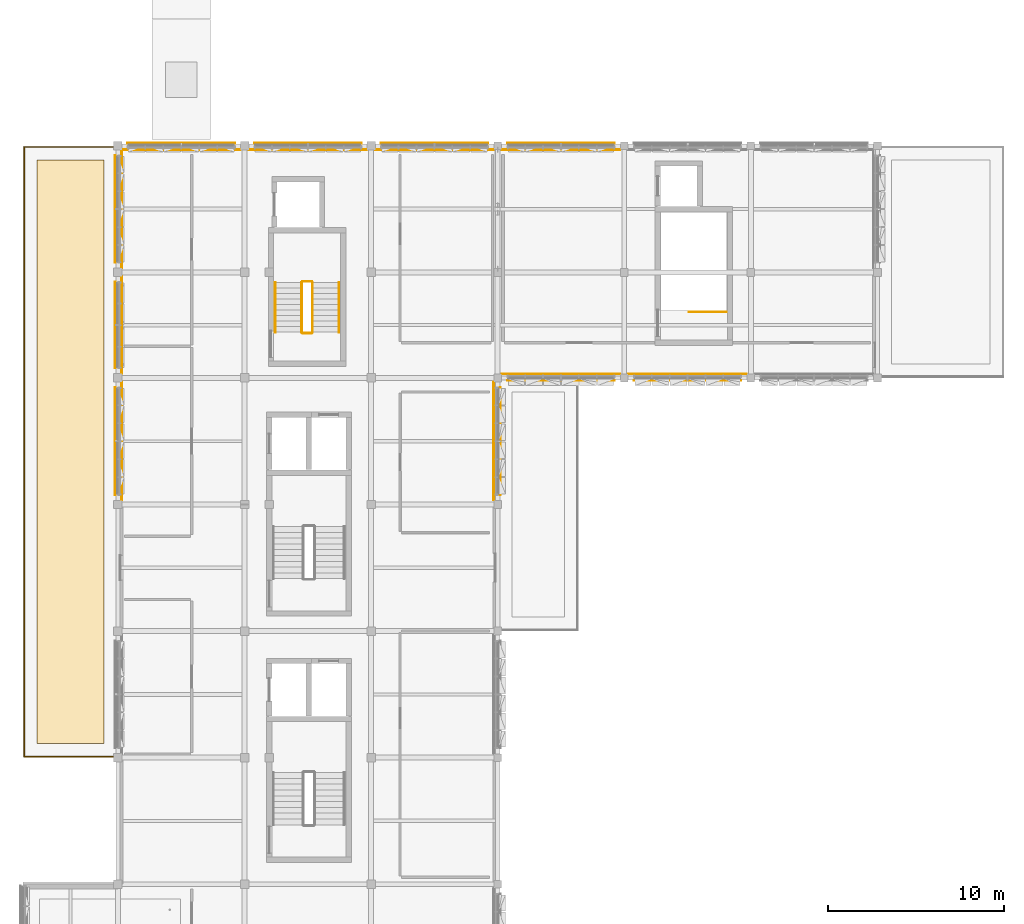
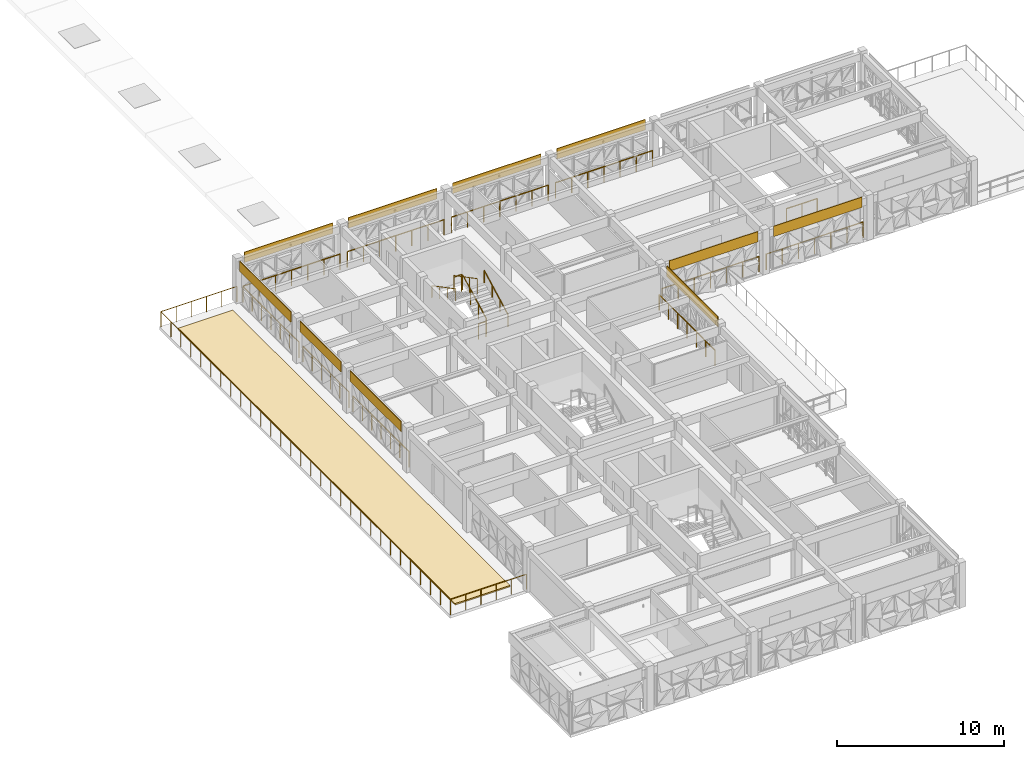
# One storey, part 29 of 35: 18 railings, 11 coverings.
"""IFC4 building model written with IfcOpenShell, lengths in metres."""

from ifc_helpers import new_model, si_unit, direction, frame, origin, origin_2d, place, context, subcontext, project, spatial, polyline, circle, outline, extrude, material, layer, layer_set, type_object, element, save


model = new_model("IFC4")

# Units and contexts
model_context = context("Model", 3, precision=1e-05, world=origin(), true_north=direction((0.0, 1.0)))
body_context = subcontext(model_context, "Body", "Model", "MODEL_VIEW")
ifc_project = project(units=[si_unit("LENGTHUNIT", "METRE"), si_unit("AREAUNIT", "SQUARE_METRE"), si_unit("VOLUMEUNIT", "CUBIC_METRE"), si_unit("PLANEANGLEUNIT", "RADIAN"), si_unit("MASSUNIT", "GRAM", prefix="KILO")], contexts=[model_context])

# Site, building, storey
site_placement = place(None, origin())
site = spatial("IfcSite", under=ifc_project, at=site_placement, CompositionType="ELEMENT")
building_placement = place(site_placement, origin())
building = spatial("IfcBuilding", under=site, at=building_placement, Name="Alvorim Cloister Faculty of Sciences", CompositionType="ELEMENT")
storey_placement = place(building_placement, frame((0.0, 0.0, 22.949951171875)))
storey = spatial("IfcBuildingStorey", under=building, at=storey_placement, Name="L06", CompositionType="ELEMENT", Elevation=22.949951171875)

# Coverings
ifc_material_1 = material(Name="Anodised Aluminium Alloy 6063-T6", Category="aluminium")
ifc_layer_1 = layer(ifc_material_1, 0.031982421875)
ifc_layer_set_1 = layer_set([ifc_layer_1], Name="Anodised Aluminium Alloy 6063-T6")
covering_type_1 = type_object("IfcCoveringType", Name="COV-FAC-CAS", PredefinedType="CLADDING", material=ifc_layer_set_1)
covering_1_placement = place(storey_placement, frame((7.050048828125, 36.5400390625, 2.530029296875), z_axis=(0.0, 0.0, 1.0), x_axis=(0.0, 1.0, 0.0)))
element("IfcCovering", 1, at=covering_1_placement, inside=storey, type_object=covering_type_1, Name="L06 Shifted Bar Slab-Edge Architectural Fascia", PredefinedType="CLADDING", context=body_context, shape_type="SweptSolid", body=[
    extrude(outline(polyline([(0.0, 0.0), (6.1201171875, 0.0), (6.1201171875, 0.760009765625), (0.0, 0.760009765625), (0.0, 0.0)])), frame((0.0, 0.0224609375, 0.0), z_axis=(0.0, -1.0, 0.0), x_axis=(1.0, 0.0, 0.0)), (0.0, 0.0, 1.0), 0.044921875),
])
covering_2_placement = place(storey_placement, frame((7.050048828125, 43.739990234375, 2.530029296875), z_axis=(0.0, 0.0, 1.0), x_axis=(0.0, 1.0, 0.0)))
element("IfcCovering", 2, at=covering_2_placement, inside=storey, type_object=covering_type_1, Name="L06 Shifted Bar Slab-Edge Architectural Fascia", PredefinedType="CLADDING", context=body_context, shape_type="SweptSolid", body=[
    extrude(outline(polyline([(0.0, 0.0), (4.919921875, 0.0), (4.919921875, 0.760009765625), (0.0, 0.760009765625), (0.0, 0.0)])), frame((0.0, 0.0224609375, 0.0), z_axis=(0.0, -1.0, 0.0), x_axis=(1.0, 0.0, 0.0)), (0.0, 0.0, 1.0), 0.044921875),
])
for number, where, z_axis, x_axis, name in (
    (3, (7.050048828125, 49.739990234375, 2.530029296875), (0.0, 0.0, 1.0), (0.0, 1.0, 0.0), "L06 Shifted Bar Slab-Edge Architectural Fascia"),
    (4, (7.739990234375, 56.550048828125, 2.530029296875), (0.0, 0.0, 1.0), (1.0, 0.0, 0.0), "L06 Shifted Bar Slab-Edge Architectural Fascia"),
    (5, (14.93994140625, 56.550048828125, 2.530029296875), (0.0, 0.0, 1.0), (1.0, 0.0, 0.0), "L06 Shifted Bar Slab-Edge Architectural Fascia"),
    (6, (22.139892578125, 56.550048828125, 2.530029296875), (0.0, 0.0, 1.0), (1.0, 0.0, 0.0), "L06 Shifted Bar Slab-Edge Architectural Fascia"),
    (7, (29.340087890625, 56.550048828125, 2.530029296875), (0.0, 0.0, 1.0), (1.0, 0.0, 0.0), "L06 Shifted Bar Slab-Edge Architectural Fascia"),
    (8, (36.5400390625, 43.050048828125, 2.530029296875), (0.0, 0.0, 1.0), (1.0, 0.0, 0.0), "L06 Shifted Bar Slab-Edge Architectural Fascia"),
    (9, (29.340087890625, 43.050048828125, 2.530029296875), (0.0, 0.0, 1.0), (1.0, 0.0, 0.0), "L06 Shifted Bar Slab-Edge Architectural Fascia"),
    (10, (28.949951171875, 36.5400390625, 2.530029296875), (0.0, 0.0, 1.0), (0.0, 1.0, 0.0), "L06 Shifted Bar Slab-Edge Architectural Fascia"),
):
    element("IfcCovering", number, at=place(storey_placement, frame(where, z_axis=z_axis, x_axis=x_axis)), inside=storey, type_object=covering_type_1, Name=name, PredefinedType="CLADDING", context=body_context, shape_type="SweptSolid", body=[
        extrude(outline(polyline([(0.0, 0.0), (6.1201171875, 0.0), (6.1201171875, 0.760009765625), (0.0, 0.760009765625), (0.0, 0.0)])), frame((0.0, 0.0224609375, 0.0), z_axis=(0.0, -1.0, 0.0), x_axis=(1.0, 0.0, 0.0)), (0.0, 0.0, 1.0), 0.044921875),
    ])
ifc_material_2 = material(Name="Intensive Vegetated Substrate", Category="earth")
ifc_layer_2 = layer(ifc_material_2, 0.10009765625)
ifc_layer_set_2 = layer_set([ifc_layer_2], Name="Intensive Vegetated Substrate")
covering_type_2 = type_object("IfcCoveringType", Name="COV-ROOF-GREEN", PredefinedType="ROOFING", material=ifc_layer_set_2)
covering_3_placement = place(storey_placement, origin())
element("IfcCovering", 11, at=covering_3_placement, inside=storey, type_object=covering_type_2, Name="L06 West Shifted Bar Sky Garden Quota Ambiental Vegetated Substrate", PredefinedType="ROOFING", context=body_context, shape_type="SweptSolid", body=[
    extrude(outline(polyline([(2.60009765625, 22.39990234375), (6.39990234375, 22.39990234375), (6.39990234375, 55.60009765625), (2.60009765625, 55.60009765625), (2.60009765625, 22.39990234375)])), origin(), (0.0, 0.0, 1.0), 0.10009765625),
])

# Railings
ifc_material_3 = material(Name="Laminated Safety Glass and Bronze", Category="glass")
railing_type_1 = type_object("IfcRailingType", Name="RL-ATR-BAL-1150", PredefinedType="BALUSTRADE", material=ifc_material_3)
railing_1_placement = place(storey_placement, frame((7.419921875, 36.25, 0.0)))
element("IfcRailing", 12, at=railing_1_placement, inside=storey, type_object=railing_type_1, Name="L06 Curtain Wall Sill Guard BL-236", PredefinedType="BALUSTRADE", context=body_context, shape_type="SweptSolid", body=[
    extrude(circle(Radius=0.02392578125, at=origin_2d()), frame((0.0, 0.0, 1.1259765625), z_axis=(0.0, 1.0, 0.0), x_axis=(-1.0, 0.0, 0.0)), (0.0, 0.0, 1.0), 6.699951171875),
    extrude(circle(Radius=0.02099609375, at=origin_2d()), origin(), (0.0, 0.0, 1.0), 1.101806640625),
    extrude(circle(Radius=0.02099609375, at=origin_2d()), frame((0.0, 1.11669921875, 0.0)), (0.0, 0.0, 1.0), 1.101806640625),
    extrude(circle(Radius=0.02099609375, at=origin_2d()), frame((0.0, 2.2333984375, 0.0)), (0.0, 0.0, 1.0), 1.101806640625),
    extrude(circle(Radius=0.02099609375, at=origin_2d()), frame((0.0, 3.35009765625, 0.0)), (0.0, 0.0, 1.0), 1.101806640625),
    extrude(circle(Radius=0.02099609375, at=origin_2d()), frame((0.0, 4.466552734375, 0.0)), (0.0, 0.0, 1.0), 1.101806640625),
    extrude(circle(Radius=0.02099609375, at=origin_2d()), frame((0.0, 5.583251953125, 0.0)), (0.0, 0.0, 1.0), 1.101806640625),
    extrude(circle(Radius=0.02099609375, at=origin_2d()), frame((0.0, 6.699951171875, 0.0)), (0.0, 0.0, 1.0), 1.101806640625),
])
railing_2_placement = place(storey_placement, frame((7.419921875, 43.449951171875, 0.0)))
element("IfcRailing", 13, at=railing_2_placement, inside=storey, type_object=railing_type_1, Name="L06 Curtain Wall Sill Guard BL-237", PredefinedType="BALUSTRADE", context=body_context, shape_type="SweptSolid", body=[
    extrude(circle(Radius=0.02392578125, at=origin_2d()), frame((0.0, 0.0, 1.1259765625), z_axis=(0.0, 1.0, 0.0), x_axis=(-1.0, 0.0, 0.0)), (0.0, 0.0, 1.0), 5.5),
    extrude(circle(Radius=0.02099609375, at=origin_2d()), origin(), (0.0, 0.0, 1.0), 1.101806640625),
    extrude(circle(Radius=0.02099609375, at=origin_2d()), frame((0.0, 1.10009765625, 0.0)), (0.0, 0.0, 1.0), 1.101806640625),
    extrude(circle(Radius=0.02099609375, at=origin_2d()), frame((0.0, 2.199951171875, 0.0)), (0.0, 0.0, 1.0), 1.101806640625),
    extrude(circle(Radius=0.02099609375, at=origin_2d()), frame((0.0, 3.300048828125, 0.0)), (0.0, 0.0, 1.0), 1.101806640625),
    extrude(circle(Radius=0.02099609375, at=origin_2d()), frame((0.0, 4.39990234375, 0.0)), (0.0, 0.0, 1.0), 1.101806640625),
    extrude(circle(Radius=0.02099609375, at=origin_2d()), frame((0.0, 5.5, 0.0)), (0.0, 0.0, 1.0), 1.101806640625),
])
railing_3_placement = place(storey_placement, frame((7.419921875, 49.449951171875, 0.0)))
element("IfcRailing", 14, at=railing_3_placement, inside=storey, type_object=railing_type_1, Name="L06 Curtain Wall Sill Guard BL-238", PredefinedType="BALUSTRADE", context=body_context, shape_type="SweptSolid", body=[
    extrude(circle(Radius=0.02392578125, at=origin_2d()), frame((0.0, 0.0, 1.1259765625), z_axis=(0.0, 1.0, 0.0), x_axis=(-1.0, 0.0, 0.0)), (0.0, 0.0, 1.0), 6.699951171875),
    extrude(circle(Radius=0.02099609375, at=origin_2d()), origin(), (0.0, 0.0, 1.0), 1.101806640625),
    extrude(circle(Radius=0.02099609375, at=origin_2d()), frame((0.0, 1.11669921875, 0.0)), (0.0, 0.0, 1.0), 1.101806640625),
    extrude(circle(Radius=0.02099609375, at=origin_2d()), frame((0.0, 2.2333984375, 0.0)), (0.0, 0.0, 1.0), 1.101806640625),
    extrude(circle(Radius=0.02099609375, at=origin_2d()), frame((0.0, 3.35009765625, 0.0)), (0.0, 0.0, 1.0), 1.101806640625),
    extrude(circle(Radius=0.02099609375, at=origin_2d()), frame((0.0, 4.466552734375, 0.0)), (0.0, 0.0, 1.0), 1.101806640625),
    extrude(circle(Radius=0.02099609375, at=origin_2d()), frame((0.0, 5.583251953125, 0.0)), (0.0, 0.0, 1.0), 1.101806640625),
    extrude(circle(Radius=0.02099609375, at=origin_2d()), frame((0.0, 6.699951171875, 0.0)), (0.0, 0.0, 1.0), 1.101806640625),
])
railing_4_placement = place(storey_placement, frame((7.449951171875, 56.179931640625, 0.0)))
element("IfcRailing", 15, at=railing_4_placement, inside=storey, type_object=railing_type_1, Name="L06 Curtain Wall Sill Guard BL-239", PredefinedType="BALUSTRADE", context=body_context, shape_type="SweptSolid", body=[
    extrude(circle(Radius=0.02392578125, at=origin_2d()), frame((0.0, 0.0, 1.1259765625), z_axis=(1.0, 0.0, 0.0), x_axis=(0.0, 1.0, 0.0)), (0.0, 0.0, 1.0), 6.699951171875),
    extrude(circle(Radius=0.02099609375, at=origin_2d()), origin(), (0.0, 0.0, 1.0), 1.101806640625),
    extrude(circle(Radius=0.02099609375, at=origin_2d()), frame((1.11669921875, 0.0, 0.0)), (0.0, 0.0, 1.0), 1.101806640625),
    extrude(circle(Radius=0.02099609375, at=origin_2d()), frame((2.2333984375, 0.0, 0.0)), (0.0, 0.0, 1.0), 1.101806640625),
    extrude(circle(Radius=0.02099609375, at=origin_2d()), frame((3.35009765625, 0.0, 0.0)), (0.0, 0.0, 1.0), 1.101806640625),
    extrude(circle(Radius=0.02099609375, at=origin_2d()), frame((4.466552734375, 0.0, 0.0)), (0.0, 0.0, 1.0), 1.101806640625),
    extrude(circle(Radius=0.02099609375, at=origin_2d()), frame((5.583251953125, 0.0, 0.0)), (0.0, 0.0, 1.0), 1.101806640625),
    extrude(circle(Radius=0.02099609375, at=origin_2d()), frame((6.699951171875, 0.0, 0.0)), (0.0, 0.0, 1.0), 1.101806640625),
])
railing_5_placement = place(storey_placement, frame((14.64990234375, 56.179931640625, 0.0)))
element("IfcRailing", 16, at=railing_5_placement, inside=storey, type_object=railing_type_1, Name="L06 Curtain Wall Sill Guard BL-240", PredefinedType="BALUSTRADE", context=body_context, shape_type="SweptSolid", body=[
    extrude(circle(Radius=0.02392578125, at=origin_2d()), frame((0.0, 0.0, 1.1259765625), z_axis=(1.0, 0.0, 0.0), x_axis=(0.0, 1.0, 0.0)), (0.0, 0.0, 1.0), 6.7001953125),
    extrude(circle(Radius=0.02099609375, at=origin_2d()), origin(), (0.0, 0.0, 1.0), 1.101806640625),
    extrude(circle(Radius=0.02099609375, at=origin_2d()), frame((1.11669921875, 0.0, 0.0)), (0.0, 0.0, 1.0), 1.101806640625),
    extrude(circle(Radius=0.02099609375, at=origin_2d()), frame((2.2333984375, 0.0, 0.0)), (0.0, 0.0, 1.0), 1.101806640625),
    extrude(circle(Radius=0.02099609375, at=origin_2d()), frame((3.35009765625, 0.0, 0.0)), (0.0, 0.0, 1.0), 1.101806640625),
    extrude(circle(Radius=0.02099609375, at=origin_2d()), frame((4.466796875, 0.0, 0.0)), (0.0, 0.0, 1.0), 1.101806640625),
    extrude(circle(Radius=0.02099609375, at=origin_2d()), frame((5.58349609375, 0.0, 0.0)), (0.0, 0.0, 1.0), 1.101806640625),
    extrude(circle(Radius=0.02099609375, at=origin_2d()), frame((6.7001953125, 0.0, 0.0)), (0.0, 0.0, 1.0), 1.101806640625),
])
for number, where, name in (
    (17, (21.85009765625, 56.179931640625, 0.0), "L06 Curtain Wall Sill Guard BL-241"),
    (18, (29.050048828125, 56.179931640625, 0.0), "L06 Curtain Wall Sill Guard BL-242"),
    (19, (36.25, 43.419921875, 0.0), "L06 Curtain Wall Sill Guard BL-247"),
    (20, (29.050048828125, 43.419921875, 0.0), "L06 Curtain Wall Sill Guard BL-248"),
):
    element("IfcRailing", number, at=place(storey_placement, frame(where)), inside=storey, type_object=railing_type_1, Name=name, PredefinedType="BALUSTRADE", context=body_context, shape_type="SweptSolid", body=[
        extrude(circle(Radius=0.02392578125, at=origin_2d()), frame((0.0, 0.0, 1.1259765625), z_axis=(1.0, 0.0, 0.0), x_axis=(0.0, 1.0, 0.0)), (0.0, 0.0, 1.0), 6.699951171875),
        extrude(circle(Radius=0.02099609375, at=origin_2d()), origin(), (0.0, 0.0, 1.0), 1.101806640625),
        extrude(circle(Radius=0.02099609375, at=origin_2d()), frame((1.11669921875, 0.0, 0.0)), (0.0, 0.0, 1.0), 1.101806640625),
        extrude(circle(Radius=0.02099609375, at=origin_2d()), frame((2.2333984375, 0.0, 0.0)), (0.0, 0.0, 1.0), 1.101806640625),
        extrude(circle(Radius=0.02099609375, at=origin_2d()), frame((3.35009765625, 0.0, 0.0)), (0.0, 0.0, 1.0), 1.101806640625),
        extrude(circle(Radius=0.02099609375, at=origin_2d()), frame((4.466552734375, 0.0, 0.0)), (0.0, 0.0, 1.0), 1.101806640625),
        extrude(circle(Radius=0.02099609375, at=origin_2d()), frame((5.583251953125, 0.0, 0.0)), (0.0, 0.0, 1.0), 1.101806640625),
        extrude(circle(Radius=0.02099609375, at=origin_2d()), frame((6.699951171875, 0.0, 0.0)), (0.0, 0.0, 1.0), 1.101806640625),
    ])
railing_6_placement = place(storey_placement, frame((28.580078125, 36.25, 0.0)))
element("IfcRailing", 21, at=railing_6_placement, inside=storey, type_object=railing_type_1, Name="L06 Curtain Wall Sill Guard BL-249", PredefinedType="BALUSTRADE", context=body_context, shape_type="SweptSolid", body=[
    extrude(circle(Radius=0.02392578125, at=origin_2d()), frame((0.0, 0.0, 1.1259765625), z_axis=(0.0, 1.0, 0.0), x_axis=(-1.0, 0.0, 0.0)), (0.0, 0.0, 1.0), 6.699951171875),
    extrude(circle(Radius=0.02099609375, at=origin_2d()), origin(), (0.0, 0.0, 1.0), 1.101806640625),
    extrude(circle(Radius=0.02099609375, at=origin_2d()), frame((0.0, 1.11669921875, 0.0)), (0.0, 0.0, 1.0), 1.101806640625),
    extrude(circle(Radius=0.02099609375, at=origin_2d()), frame((0.0, 2.2333984375, 0.0)), (0.0, 0.0, 1.0), 1.101806640625),
    extrude(circle(Radius=0.02099609375, at=origin_2d()), frame((0.0, 3.35009765625, 0.0)), (0.0, 0.0, 1.0), 1.101806640625),
    extrude(circle(Radius=0.02099609375, at=origin_2d()), frame((0.0, 4.466552734375, 0.0)), (0.0, 0.0, 1.0), 1.101806640625),
    extrude(circle(Radius=0.02099609375, at=origin_2d()), frame((0.0, 5.583251953125, 0.0)), (0.0, 0.0, 1.0), 1.101806640625),
    extrude(circle(Radius=0.02099609375, at=origin_2d()), frame((0.0, 6.699951171875, 0.0)), (0.0, 0.0, 1.0), 1.101806640625),
])
ifc_material_4 = material(Name="Galvanised Painted Steel", Category="steel")
railing_type_2 = type_object("IfcRailingType", Name="RL-PAR-GUARD-1150", PredefinedType="GUARDRAIL", material=ifc_material_4)
railing_7_placement = place(storey_placement, frame((7.1201171875, 56.340087890625, 0.0)))
element("IfcRailing", 22, at=railing_7_placement, inside=storey, type_object=railing_type_2, Name="L06 West Shifted Bar Sky Garden Perimeter Guard GR-309", PredefinedType="GUARDRAIL", context=body_context, shape_type="SweptSolid", body=[
    extrude(circle(Radius=0.02392578125, at=origin_2d()), frame((0.0, 0.0, 1.1259765625), z_axis=(-1.0, 0.0, 0.0), x_axis=(0.0, -1.0, 0.0)), (0.0, 0.0, 1.0), 5.260009765625),
    extrude(circle(Radius=0.02392578125, at=origin_2d()), frame((-5.260009765625, 0.0, 1.1259765625), z_axis=(0.0, -1.0, 0.0), x_axis=(1.0, 0.0, 0.0)), (0.0, 0.0, 1.0), 34.68017578125),
    extrude(circle(Radius=0.02392578125, at=origin_2d()), frame((-5.260009765625, -34.68017578125, 1.1259765625), z_axis=(1.0, 0.0, 0.0), x_axis=(0.0, 1.0, 0.0)), (0.0, 0.0, 1.0), 5.260009765625),
    extrude(circle(Radius=0.02099609375, at=origin_2d()), origin(), (0.0, 0.0, 1.0), 1.101806640625),
    extrude(circle(Radius=0.02099609375, at=origin_2d()), frame((-1.052001953125, 0.0, 0.0)), (0.0, 0.0, 1.0), 1.101806640625),
    extrude(circle(Radius=0.02099609375, at=origin_2d()), frame((-2.10400390625, 0.0, 0.0)), (0.0, 0.0, 1.0), 1.101806640625),
    extrude(circle(Radius=0.02099609375, at=origin_2d()), frame((-3.156005859375, 0.0, 0.0)), (0.0, 0.0, 1.0), 1.101806640625),
    extrude(circle(Radius=0.02099609375, at=origin_2d()), frame((-4.2080078125, 0.0, 0.0)), (0.0, 0.0, 1.0), 1.101806640625),
    extrude(circle(Radius=0.02099609375, at=origin_2d()), frame((-5.260009765625, 0.0, 0.0)), (0.0, 0.0, 1.0), 1.101806640625),
    extrude(circle(Radius=0.02099609375, at=origin_2d()), frame((-5.260009765625, -1.19580078125, 0.0)), (0.0, 0.0, 1.0), 1.101806640625),
    extrude(circle(Radius=0.02099609375, at=origin_2d()), frame((-5.260009765625, -2.391845703125, 0.0)), (0.0, 0.0, 1.0), 1.101806640625),
    extrude(circle(Radius=0.02099609375, at=origin_2d()), frame((-5.260009765625, -3.587646484375, 0.0)), (0.0, 0.0, 1.0), 1.101806640625),
    extrude(circle(Radius=0.02099609375, at=origin_2d()), frame((-5.260009765625, -4.783447265625, 0.0)), (0.0, 0.0, 1.0), 1.101806640625),
    extrude(circle(Radius=0.02099609375, at=origin_2d()), frame((-5.260009765625, -5.979248046875, 0.0)), (0.0, 0.0, 1.0), 1.101806640625),
    extrude(circle(Radius=0.02099609375, at=origin_2d()), frame((-5.260009765625, -7.17529296875, 0.0)), (0.0, 0.0, 1.0), 1.101806640625),
    extrude(circle(Radius=0.02099609375, at=origin_2d()), frame((-5.260009765625, -8.37109375, 0.0)), (0.0, 0.0, 1.0), 1.101806640625),
    extrude(circle(Radius=0.02099609375, at=origin_2d()), frame((-5.260009765625, -9.56689453125, 0.0)), (0.0, 0.0, 1.0), 1.101806640625),
    extrude(circle(Radius=0.02099609375, at=origin_2d()), frame((-5.260009765625, -10.7626953125, 0.0)), (0.0, 0.0, 1.0), 1.101806640625),
    extrude(circle(Radius=0.02099609375, at=origin_2d()), frame((-5.260009765625, -11.958740234375, 0.0)), (0.0, 0.0, 1.0), 1.101806640625),
    extrude(circle(Radius=0.02099609375, at=origin_2d()), frame((-5.260009765625, -13.154541015625, 0.0)), (0.0, 0.0, 1.0), 1.101806640625),
    extrude(circle(Radius=0.02099609375, at=origin_2d()), frame((-5.260009765625, -14.350341796875, 0.0)), (0.0, 0.0, 1.0), 1.101806640625),
    extrude(circle(Radius=0.02099609375, at=origin_2d()), frame((-5.260009765625, -15.54638671875, 0.0)), (0.0, 0.0, 1.0), 1.101806640625),
    extrude(circle(Radius=0.02099609375, at=origin_2d()), frame((-5.260009765625, -16.7421875, 0.0)), (0.0, 0.0, 1.0), 1.101806640625),
    extrude(circle(Radius=0.02099609375, at=origin_2d()), frame((-5.260009765625, -17.93798828125, 0.0)), (0.0, 0.0, 1.0), 1.101806640625),
    extrude(circle(Radius=0.02099609375, at=origin_2d()), frame((-5.260009765625, -19.1337890625, 0.0)), (0.0, 0.0, 1.0), 1.101806640625),
    extrude(circle(Radius=0.02099609375, at=origin_2d()), frame((-5.260009765625, -20.329833984375, 0.0)), (0.0, 0.0, 1.0), 1.101806640625),
    extrude(circle(Radius=0.02099609375, at=origin_2d()), frame((-5.260009765625, -21.525634765625, 0.0)), (0.0, 0.0, 1.0), 1.101806640625),
    extrude(circle(Radius=0.02099609375, at=origin_2d()), frame((-5.260009765625, -22.721435546875, 0.0)), (0.0, 0.0, 1.0), 1.101806640625),
    extrude(circle(Radius=0.02099609375, at=origin_2d()), frame((-5.260009765625, -23.91748046875, 0.0)), (0.0, 0.0, 1.0), 1.101806640625),
    extrude(circle(Radius=0.02099609375, at=origin_2d()), frame((-5.260009765625, -25.11328125, 0.0)), (0.0, 0.0, 1.0), 1.101806640625),
    extrude(circle(Radius=0.02099609375, at=origin_2d()), frame((-5.260009765625, -26.30908203125, 0.0)), (0.0, 0.0, 1.0), 1.101806640625),
    extrude(circle(Radius=0.02099609375, at=origin_2d()), frame((-5.260009765625, -27.5048828125, 0.0)), (0.0, 0.0, 1.0), 1.101806640625),
    extrude(circle(Radius=0.02099609375, at=origin_2d()), frame((-5.260009765625, -28.700927734375, 0.0)), (0.0, 0.0, 1.0), 1.101806640625),
    extrude(circle(Radius=0.02099609375, at=origin_2d()), frame((-5.260009765625, -29.896728515625, 0.0)), (0.0, 0.0, 1.0), 1.101806640625),
    extrude(circle(Radius=0.02099609375, at=origin_2d()), frame((-5.260009765625, -31.092529296875, 0.0)), (0.0, 0.0, 1.0), 1.101806640625),
    extrude(circle(Radius=0.02099609375, at=origin_2d()), frame((-5.260009765625, -32.288330078125, 0.0)), (0.0, 0.0, 1.0), 1.101806640625),
    extrude(circle(Radius=0.02099609375, at=origin_2d()), frame((-5.260009765625, -33.484375, 0.0)), (0.0, 0.0, 1.0), 1.101806640625),
    extrude(circle(Radius=0.02099609375, at=origin_2d()), frame((-5.260009765625, -34.68017578125, 0.0)), (0.0, 0.0, 1.0), 1.101806640625),
    extrude(circle(Radius=0.02099609375, at=origin_2d()), frame((-4.2080078125, -34.68017578125, 0.0)), (0.0, 0.0, 1.0), 1.101806640625),
    extrude(circle(Radius=0.02099609375, at=origin_2d()), frame((-3.156005859375, -34.68017578125, 0.0)), (0.0, 0.0, 1.0), 1.101806640625),
    extrude(circle(Radius=0.02099609375, at=origin_2d()), frame((-2.10400390625, -34.68017578125, 0.0)), (0.0, 0.0, 1.0), 1.101806640625),
    extrude(circle(Radius=0.02099609375, at=origin_2d()), frame((-1.052001953125, -34.68017578125, 0.0)), (0.0, 0.0, 1.0), 1.101806640625),
    extrude(circle(Radius=0.02099609375, at=origin_2d()), frame((0.0, -34.68017578125, 0.0)), (0.0, 0.0, 1.0), 1.101806640625),
])
railing_type_3 = type_object("IfcRailingType", Name="RL-STR-GUARD", PredefinedType="GUARDRAIL", material=ifc_material_4)
railing_8_placement = place(storey_placement, frame((18.27001953125, 45.800048828125, 0.1650390625)))
element("IfcRailing", 23, at=railing_8_placement, inside=storey, type_object=railing_type_3, Name="L06 ST-03 stair guard 1", PredefinedType="GUARDRAIL", context=body_context, shape_type="SweptSolid", body=[
    extrude(circle(Radius=0.02392578125, at=origin_2d()), frame((0.0, 0.0, 1.09619140625), z_axis=(0.0, 0.885815110492, 0.464038349735), x_axis=(-1.0, 0.0, 0.0)), (0.0, 0.0, 1.0), 3.200439453125),
    extrude(circle(Radius=0.02099609375, at=origin_2d()), origin(), (0.0, 0.0, 1.0), 1.072021484375),
    extrude(circle(Radius=0.02099609375, at=origin_2d()), frame((0.0, 0.945068359375, 0.4951171875)), (0.0, 0.0, 1.0), 1.072021484375),
    extrude(circle(Radius=0.02099609375, at=origin_2d()), frame((0.0, 1.889892578125, 0.989990234375)), (0.0, 0.0, 1.0), 1.072021484375),
    extrude(circle(Radius=0.02099609375, at=origin_2d()), frame((0.0, 2.8349609375, 1.485107421875)), (0.0, 0.0, 1.0), 1.072021484375),
])
railing_9_placement = place(storey_placement, frame((18.219970703125, 48.68505859375, 1.650146484375)))
element("IfcRailing", 24, at=railing_9_placement, inside=storey, type_object=railing_type_3, Name="L06 ST-03 stair guard 2", PredefinedType="GUARDRAIL", context=body_context, shape_type="SweptSolid", body=[
    extrude(circle(Radius=0.02392578125, at=origin_2d()), frame((0.0, 0.0, 1.09619140625), z_axis=(-1.0, 0.0, 0.0), x_axis=(0.0, -1.0, 0.0)), (0.0, 0.0, 1.0), 0.52001953125),
    extrude(circle(Radius=0.02099609375, at=origin_2d()), origin(), (0.0, 0.0, 1.0), 1.072021484375),
    extrude(circle(Radius=0.02099609375, at=origin_2d()), frame((-0.52001953125, 0.0, 0.0)), (0.0, 0.0, 1.0), 1.072021484375),
])
railing_10_placement = place(storey_placement, frame((17.64990234375, 48.635009765625, 1.81494140625)))
element("IfcRailing", 25, at=railing_10_placement, inside=storey, type_object=railing_type_3, Name="L06 ST-03 stair guard 3", PredefinedType="GUARDRAIL", context=body_context, shape_type="SweptSolid", body=[
    extrude(circle(Radius=0.02392578125, at=origin_2d()), frame((0.0, 0.0, 1.09619140625), z_axis=(0.0, -0.885815110492, 0.464038349735), x_axis=(1.0, 0.0, 0.0)), (0.0, 0.0, 1.0), 3.200439453125),
    extrude(circle(Radius=0.02099609375, at=origin_2d()), origin(), (0.0, 0.0, 1.0), 1.072021484375),
    extrude(circle(Radius=0.02099609375, at=origin_2d()), frame((0.0, -0.945068359375, 0.4951171875)), (0.0, 0.0, 1.0), 1.072021484375),
    extrude(circle(Radius=0.02099609375, at=origin_2d()), frame((0.0, -1.889892578125, 0.989990234375)), (0.0, 0.0, 1.0), 1.072021484375),
    extrude(circle(Radius=0.02099609375, at=origin_2d()), frame((0.0, -2.8349609375, 1.485107421875)), (0.0, 0.0, 1.0), 1.072021484375),
])
railing_11_placement = place(storey_placement, frame((18.219970703125, 45.75, 0.0)))
element("IfcRailing", 26, at=railing_11_placement, inside=storey, type_object=railing_type_3, Name="L06 ST-03 stair guard 4", PredefinedType="GUARDRAIL", context=body_context, shape_type="SweptSolid", body=[
    extrude(circle(Radius=0.02392578125, at=origin_2d()), frame((0.0, 0.0, 1.09619140625), z_axis=(-1.0, 0.0, 0.0), x_axis=(0.0, -1.0, 0.0)), (0.0, 0.0, 1.0), 0.52001953125),
    extrude(circle(Radius=0.02099609375, at=origin_2d()), origin(), (0.0, 0.0, 1.0), 1.072021484375),
    extrude(circle(Radius=0.02099609375, at=origin_2d()), frame((-0.52001953125, 0.0, 0.0)), (0.0, 0.0, 1.0), 1.072021484375),
])
railing_12_placement = place(storey_placement, frame((41.820068359375, 46.949951171875, 0.0)))
element("IfcRailing", 27, at=railing_12_placement, inside=storey, type_object=railing_type_3, Name="L06 ST-04 top well guard 1", PredefinedType="GUARDRAIL", context=body_context, shape_type="SweptSolid", body=[
    extrude(circle(Radius=0.02392578125, at=origin_2d()), frame((0.0, 0.0, 1.09619140625), z_axis=(-1.0, 0.0, 0.0), x_axis=(0.0, -1.0, 0.0)), (0.0, 0.0, 1.0), 2.1201171875),
    extrude(circle(Radius=0.02099609375, at=origin_2d()), origin(), (0.0, 0.0, 1.0), 1.072021484375),
    extrude(circle(Radius=0.02099609375, at=origin_2d()), frame((-1.06005859375, 0.0, 0.0)), (0.0, 0.0, 1.0), 1.072021484375),
    extrude(circle(Radius=0.02099609375, at=origin_2d()), frame((-2.1201171875, 0.0, 0.0)), (0.0, 0.0, 1.0), 1.072021484375),
])
ifc_material_5 = material(Name="Brushed Stainless Steel", Category="steel")
railing_type_4 = type_object("IfcRailingType", Name="RL-STR-HAND", PredefinedType="HANDRAIL", material=ifc_material_5)
railing_13_placement = place(storey_placement, frame((19.77001953125, 45.800048828125, 0.1650390625)))
element("IfcRailing", 28, at=railing_13_placement, inside=storey, type_object=railing_type_4, Name="L06 ST-03 stair handrail 1", PredefinedType="HANDRAIL", context=body_context, shape_type="SweptSolid", body=[
    extrude(circle(Radius=0.02392578125, at=origin_2d()), frame((0.0, 0.0, 0.8759765625), z_axis=(0.0, 0.885815110492, 0.464038349735), x_axis=(-1.0, 0.0, 0.0)), (0.0, 0.0, 1.0), 3.200439453125),
    extrude(circle(Radius=0.02099609375, at=origin_2d()), origin(), (0.0, 0.0, 1.0), 0.851806640625),
    extrude(circle(Radius=0.02099609375, at=origin_2d()), frame((0.0, 0.945068359375, 0.4951171875)), (0.0, 0.0, 1.0), 0.851806640625),
    extrude(circle(Radius=0.02099609375, at=origin_2d()), frame((0.0, 1.889892578125, 0.989990234375)), (0.0, 0.0, 1.0), 0.851806640625),
    extrude(circle(Radius=0.02099609375, at=origin_2d()), frame((0.0, 2.8349609375, 1.485107421875)), (0.0, 0.0, 1.0), 0.851806640625),
])
railing_14_placement = place(storey_placement, frame((16.14990234375, 48.635009765625, 1.81494140625)))
element("IfcRailing", 29, at=railing_14_placement, inside=storey, type_object=railing_type_4, Name="L06 ST-03 stair handrail 2", PredefinedType="HANDRAIL", context=body_context, shape_type="SweptSolid", body=[
    extrude(circle(Radius=0.02392578125, at=origin_2d()), frame((0.0, 0.0, 0.8759765625), z_axis=(0.0, -0.885815110492, 0.464038349735), x_axis=(1.0, 0.0, 0.0)), (0.0, 0.0, 1.0), 3.200439453125),
    extrude(circle(Radius=0.02099609375, at=origin_2d()), origin(), (0.0, 0.0, 1.0), 0.851806640625),
    extrude(circle(Radius=0.02099609375, at=origin_2d()), frame((0.0, -0.945068359375, 0.4951171875)), (0.0, 0.0, 1.0), 0.851806640625),
    extrude(circle(Radius=0.02099609375, at=origin_2d()), frame((0.0, -1.889892578125, 0.989990234375)), (0.0, 0.0, 1.0), 0.851806640625),
    extrude(circle(Radius=0.02099609375, at=origin_2d()), frame((0.0, -2.8349609375, 1.485107421875)), (0.0, 0.0, 1.0), 0.851806640625),
])

save(model, "model.ifc")
